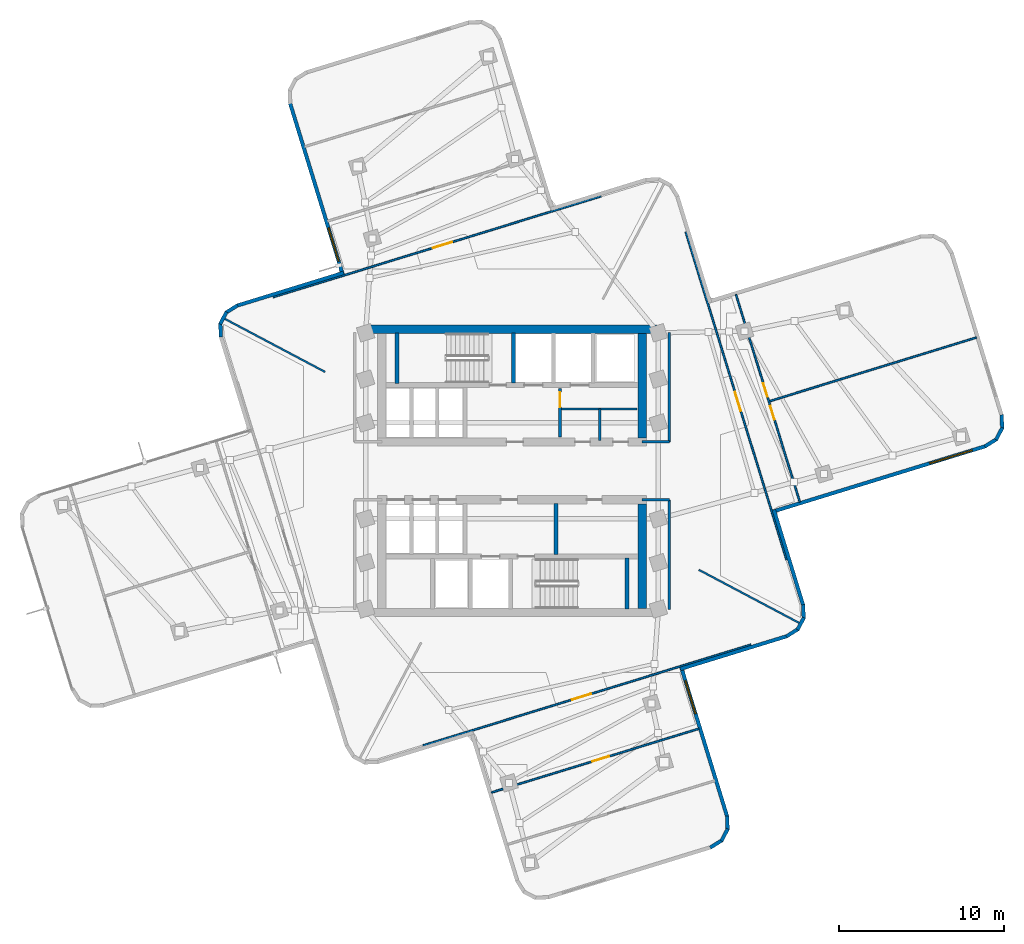
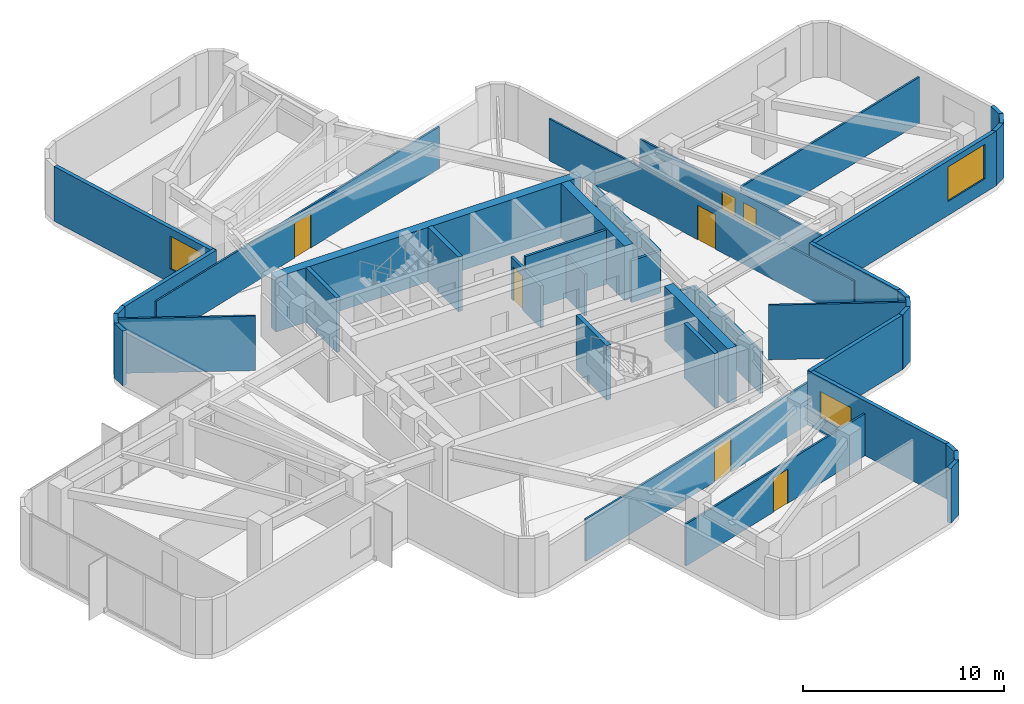
# One storey, part 7 of 10: 40 walls, 7 doors, 3 windows, 10 openings.
"""IFC4 building model written with IfcOpenShell, lengths in metres."""

from ifc_helpers import new_model, si_unit, direction, frame, frame_2d, origin, place, context, subcontext, project, spatial, rectangle, extrude, material, layer, layer_set, type_object, element, fill, save


model = new_model("IFC4")

# Units and contexts
model_context = context("Model", 3, precision=1e-05, world=origin(), true_north=direction((0.0, 1.0)))
body_context = subcontext(model_context, "Body", "Model", "MODEL_VIEW")
ifc_project = project(units=[si_unit("LENGTHUNIT", "METRE"), si_unit("AREAUNIT", "SQUARE_METRE"), si_unit("VOLUMEUNIT", "CUBIC_METRE"), si_unit("PLANEANGLEUNIT", "RADIAN"), si_unit("MASSUNIT", "GRAM", prefix="KILO")], contexts=[model_context])

# Site, building, storey
site_placement = place(None, origin())
site = spatial("IfcSite", under=ifc_project, at=site_placement, CompositionType="ELEMENT")
building_placement = place(site_placement, origin())
building = spatial("IfcBuilding", under=site, at=building_placement, Name="Solmarez Civic Tower", CompositionType="ELEMENT")
storey_placement = place(building_placement, frame((0.0, 0.0, 148.679931640625)))
storey = spatial("IfcBuildingStorey", under=building, at=storey_placement, Name="L39", CompositionType="ELEMENT", Elevation=148.679931640625)

# Walls
ifc_material_1 = material(Name="Concrete C60/75", Category="concrete")
ifc_layer_1 = layer(ifc_material_1, 0.5)
ifc_layer_set_1 = layer_set([ifc_layer_1], Name="Concrete C60/75")
wall_type_1 = type_object("IfcWallType", Name="WALL-CORE-500", PredefinedType="SHEAR", material=ifc_layer_set_1)
wall_1_placement = place(storey_placement, frame((-8.780029296875, 8.56005859375, 0.0), z_axis=(0.0, 0.0, 1.0), x_axis=(1.0, 0.0, 0.0)))
element("IfcWall", 1, at=wall_1_placement, inside=storey, type_object=wall_type_1, Name="L39 Split-Core Structural Wall NCW-N-L39", PredefinedType="SHEAR", context=body_context, shape_type="SweptSolid", body=[
    extrude(rectangle(XDim=17.56005859375, YDim=0.5, at=frame_2d((8.780029296875, 0.0))), origin(), (0.0, 0.0, 1.0), 3.320068359375),
])
for number, where, z_axis, x_axis, name in (
    (2, (7.8701171875, 8.31005859375, 0.0), (0.0, 0.0, 1.0), (0.0, -1.0, 0.0), "L39 Split-Core Structural Wall NCW-E-L39"),
    (3, (7.8701171875, -2.0, 0.0), (0.0, 0.0, 1.0), (0.0, -1.0, 0.0), "L39 Split-Core Structural Wall SCW-E-L39"),
):
    element("IfcWall", number, at=place(storey_placement, frame(where, z_axis=z_axis, x_axis=x_axis)), inside=storey, type_object=wall_type_1, Name=name, PredefinedType="SHEAR", context=body_context, shape_type="SweptSolid", body=[
        extrude(rectangle(XDim=6.31005859375, YDim=0.5, at=frame_2d((3.155029296875, 0.0))), origin(), (0.0, 0.0, 1.0), 3.320068359375),
    ])
ifc_material_2 = material(Name="Precast concrete C40/50", Category="concrete")
ifc_layer_2 = layer(ifc_material_2, 0.219970703125)
ifc_layer_set_2 = layer_set([ifc_layer_2], Name="Precast concrete C40/50")
wall_type_2 = type_object("IfcWallType", Name="WALL-EXT-220", PredefinedType="SOLIDWALL", material=ifc_layer_set_2)
wall_2_placement = place(storey_placement, frame((-17.60400390625, 8.093017578125, 0.0), z_axis=(0.0, 0.0, 1.0), x_axis=(-0.037195813461, 0.999307996296, 0.0)))
element("IfcWall", 4, at=wall_2_placement, inside=storey, type_object=wall_type_2, Name="L39 Exterior Precast Wall 14", PredefinedType="SOLIDWALL", context=body_context, shape_type="SweptSolid", body=[
    extrude(rectangle(XDim=0.83349609375, YDim=0.219970703125, at=frame_2d((0.416748046875, 0.0))), origin(), (0.0, 0.0, 1.0), 3.320068359375),
])
wall_3_placement = place(storey_placement, frame((-17.64599609375, 8.87890625, 0.0), z_axis=(0.0, 0.0, 1.0), x_axis=(0.46853080902, 0.883447158012, 0.0)))
element("IfcWall", 5, at=wall_3_placement, inside=storey, type_object=wall_type_2, Name="L39 Exterior Precast Wall 15", PredefinedType="SOLIDWALL", context=body_context, shape_type="SweptSolid", body=[
    extrude(rectangle(XDim=0.819580078125, YDim=0.219970703125, at=frame_2d((0.40966796875, 0.0))), origin(), (0.0, 0.0, 1.0), 3.320068359375),
])
wall_4_placement = place(storey_placement, frame((-17.294921875, 9.568115234375, 0.0), z_axis=(0.0, 0.0, 1.0), x_axis=(0.847058721529, 0.531499315411, 0.0)))
element("IfcWall", 6, at=wall_4_placement, inside=storey, type_object=wall_type_2, Name="L39 Exterior Precast Wall 16", PredefinedType="SOLIDWALL", context=body_context, shape_type="SweptSolid", body=[
    extrude(rectangle(XDim=0.833251953125, YDim=0.219970703125, at=frame_2d((0.41650390625, 0.0))), origin(), (0.0, 0.0, 1.0), 3.320068359375),
])
wall_5_placement = place(storey_placement, frame((-16.634033203125, 9.990966796875, 0.0), z_axis=(0.0, 0.0, 1.0), x_axis=(0.955804779036, 0.294002082259, 0.0)))
element("IfcWall", 7, at=wall_5_placement, inside=storey, type_object=wall_type_2, Name="L39 Exterior Precast Wall 17", PredefinedType="SOLIDWALL", context=body_context, shape_type="SweptSolid", body=[
    extrude(rectangle(XDim=6.758544921875, YDim=0.219970703125, at=frame_2d((3.37939453125, 0.0))), origin(), (0.0, 0.0, 1.0), 3.320068359375),
])

# Wall, opening, window
wall_6_placement = place(storey_placement, frame((-10.23193359375, 11.867919921875, 0.0), z_axis=(0.0, 0.0, 1.0), x_axis=(-0.293964195622, 0.955816432006, 0.0)))
wall_6 = element("IfcWall", 8, at=wall_6_placement, inside=storey, type_object=wall_type_2, Name="L39 Exterior Precast Wall 20", PredefinedType="SOLIDWALL", context=body_context, shape_type="SweptSolid", body=[
    extrude(rectangle(XDim=10.85888671875, YDim=0.219970703125, at=frame_2d((5.429443359375, 0.0))), origin(), (0.0, 0.0, 1.0), 3.320068359375),
])
opening_1_placement = place(wall_6_placement, frame((0.85009765625, 0.0, 0.85009765625)))
opening_1 = element("IfcOpeningElement", 9, at=opening_1_placement, cuts=wall_6, Name="Opening W-03", PredefinedType="OPENING", context=body_context, shape_type="SweptSolid", body=[
    extrude(rectangle(XDim=2.10009765625, YDim=2.0, at=frame_2d((1.050048828125, 1.0))), frame((0.0, 0.119873046875, 0.0), z_axis=(0.0, -1.0, 0.0), x_axis=(1.0, 0.0, 0.0)), (0.0, 0.0, 1.0), 0.239990234375),
])
ifc_material_3 = material(Name="Solar Control Bronze-Tinted Insulating Glass", Category="glass")
window_type_1 = type_object("IfcWindowType", Name="WIN-2100X2000", PartitioningType="SINGLE_PANEL", PredefinedType="WINDOW", material=ifc_material_3)
window_1_placement = place(opening_1_placement, origin())
window_1 = element("IfcWindow", 10, at=window_1_placement, inside=storey, type_object=window_type_1, Name="L39 Exterior Facade Window 20", OverallHeight=2.0, OverallWidth=2.10009765625, PartitioningType="SINGLE_PANEL", PredefinedType="WINDOW", context=body_context, shape_type="SweptSolid", body=[
    extrude(rectangle(XDim=2.10009765625, YDim=2.0, at=frame_2d((1.050048828125, 1.0))), frame((0.0, 0.030029296875, 0.0), z_axis=(0.0, -1.0, 0.0), x_axis=(1.0, 0.0, 0.0)), (0.0, 0.0, 1.0), 0.06005859375),
])
fill(opening_1, window_1)

# Walls
wall_7_placement = place(storey_placement, frame((29.60693359375, 3.39404296875, 0.0), z_axis=(0.0, 0.0, 1.0), x_axis=(0.037195813461, -0.999307996296, 0.0)))
element("IfcWall", 11, at=wall_7_placement, inside=storey, type_object=wall_type_2, Name="L39 Exterior Precast Wall 43", PredefinedType="SOLIDWALL", context=body_context, shape_type="SweptSolid", body=[
    extrude(rectangle(XDim=0.83349609375, YDim=0.219970703125, at=frame_2d((0.416748046875, 0.0))), origin(), (0.0, 0.0, 1.0), 3.320068359375),
])
wall_8_placement = place(storey_placement, frame((29.64892578125, 2.60791015625, 0.0), z_axis=(0.0, 0.0, 1.0), x_axis=(-0.468654126993, -0.883381746049, 0.0)))
element("IfcWall", 12, at=wall_8_placement, inside=storey, type_object=wall_type_2, Name="L39 Exterior Precast Wall 44", PredefinedType="SOLIDWALL", context=body_context, shape_type="SweptSolid", body=[
    extrude(rectangle(XDim=0.8193359375, YDim=0.219970703125, at=frame_2d((0.40966796875, 0.0))), origin(), (0.0, 0.0, 1.0), 3.320068359375),
])
wall_9_placement = place(storey_placement, frame((29.298095703125, 1.9189453125, 0.0), z_axis=(0.0, 0.0, 1.0), x_axis=(-0.847141460322, -0.531367430506, 0.0)))
element("IfcWall", 13, at=wall_9_placement, inside=storey, type_object=wall_type_2, Name="L39 Exterior Precast Wall 45", PredefinedType="SOLIDWALL", context=body_context, shape_type="SweptSolid", body=[
    extrude(rectangle(XDim=0.83349609375, YDim=0.219970703125, at=frame_2d((0.416748046875, 0.0))), origin(), (0.0, 0.0, 1.0), 3.320068359375),
])

# Wall, opening, window
wall_10_placement = place(storey_placement, frame((28.636962890625, 1.49609375, 0.0), z_axis=(0.0, 0.0, 1.0), x_axis=(-0.955802538335, -0.29400936671, 0.0)))
wall_10 = element("IfcWall", 14, at=wall_10_placement, inside=storey, type_object=wall_type_2, Name="L39 Exterior Precast Wall 46", PredefinedType="SOLIDWALL", context=body_context, shape_type="SweptSolid", body=[
    extrude(rectangle(XDim=13.458740234375, YDim=0.219970703125, at=frame_2d((6.7294921875, 0.0))), origin(), (0.0, 0.0, 1.0), 3.320068359375),
])
opening_2_placement = place(wall_10_placement, frame((0.85009765625, 0.0, 0.85009765625)))
opening_2 = element("IfcOpeningElement", 15, at=opening_2_placement, cuts=wall_10, Name="Opening W-01", PredefinedType="OPENING", context=body_context, shape_type="SweptSolid", body=[
    extrude(rectangle(XDim=2.699951171875, YDim=2.10009765625, at=frame_2d((1.35009765625, 1.050048828125))), frame((0.0, 0.119873046875, 0.0), z_axis=(0.0, -1.0, 0.0), x_axis=(1.0, 0.0, 0.0)), (0.0, 0.0, 1.0), 0.239990234375),
])
window_type_2 = type_object("IfcWindowType", Name="WIN-2700X2100", PartitioningType="SINGLE_PANEL", PredefinedType="WINDOW", material=ifc_material_3)
window_2_placement = place(opening_2_placement, origin())
window_2 = element("IfcWindow", 16, at=window_2_placement, inside=storey, type_object=window_type_2, Name="L39 Exterior Facade Window 46", OverallHeight=2.10009765625, OverallWidth=2.699951171875, PartitioningType="SINGLE_PANEL", PredefinedType="WINDOW", context=body_context, shape_type="SweptSolid", body=[
    extrude(rectangle(XDim=2.699951171875, YDim=2.10009765625, at=frame_2d((1.35009765625, 1.050048828125))), frame((0.0, 0.030029296875, 0.0), z_axis=(0.0, -1.0, 0.0), x_axis=(1.0, 0.0, 0.0)), (0.0, 0.0, 1.0), 0.06005859375),
])
fill(opening_2, window_2)

# Walls
wall_11_placement = place(storey_placement, frame((15.8310546875, -2.35107421875, 0.0), z_axis=(0.0, 0.0, 1.0), x_axis=(0.293958424126, -0.955818207028, 0.0)))
element("IfcWall", 17, at=wall_11_placement, inside=storey, type_object=wall_type_2, Name="L39 Exterior Precast Wall 49", PredefinedType="SOLIDWALL", context=body_context, shape_type="SweptSolid", body=[
    extrude(rectangle(XDim=6.05859375, YDim=0.219970703125, at=frame_2d((3.029296875, 0.0))), origin(), (0.0, 0.0, 1.0), 3.320068359375),
])
wall_12_placement = place(storey_placement, frame((17.60400390625, -8.093017578125, 0.0), z_axis=(0.0, 0.0, 1.0), x_axis=(0.037195813461, -0.999307996296, 0.0)))
element("IfcWall", 18, at=wall_12_placement, inside=storey, type_object=wall_type_2, Name="L39 Exterior Precast Wall 50", PredefinedType="SOLIDWALL", context=body_context, shape_type="SweptSolid", body=[
    extrude(rectangle(XDim=0.83349609375, YDim=0.219970703125, at=frame_2d((0.416748046875, 0.0))), origin(), (0.0, 0.0, 1.0), 3.320068359375),
])
wall_13_placement = place(storey_placement, frame((17.64599609375, -8.87890625, 0.0), z_axis=(0.0, 0.0, 1.0), x_axis=(-0.46853080902, -0.883447158012, 0.0)))
element("IfcWall", 19, at=wall_13_placement, inside=storey, type_object=wall_type_2, Name="L39 Exterior Precast Wall 51", PredefinedType="SOLIDWALL", context=body_context, shape_type="SweptSolid", body=[
    extrude(rectangle(XDim=0.819580078125, YDim=0.219970703125, at=frame_2d((0.40966796875, 0.0))), origin(), (0.0, 0.0, 1.0), 3.320068359375),
])
wall_14_placement = place(storey_placement, frame((17.294921875, -9.568115234375, 0.0), z_axis=(0.0, 0.0, 1.0), x_axis=(-0.847058721529, -0.531499315411, 0.0)))
element("IfcWall", 20, at=wall_14_placement, inside=storey, type_object=wall_type_2, Name="L39 Exterior Precast Wall 52", PredefinedType="SOLIDWALL", context=body_context, shape_type="SweptSolid", body=[
    extrude(rectangle(XDim=0.833251953125, YDim=0.219970703125, at=frame_2d((0.41650390625, 0.0))), origin(), (0.0, 0.0, 1.0), 3.320068359375),
])
wall_15_placement = place(storey_placement, frame((16.634033203125, -9.990966796875, 0.0), z_axis=(0.0, 0.0, 1.0), x_axis=(-0.955804779036, -0.294002082259, 0.0)))
element("IfcWall", 21, at=wall_15_placement, inside=storey, type_object=wall_type_2, Name="L39 Exterior Precast Wall 53", PredefinedType="SOLIDWALL", context=body_context, shape_type="SweptSolid", body=[
    extrude(rectangle(XDim=6.758544921875, YDim=0.219970703125, at=frame_2d((3.37939453125, 0.0))), origin(), (0.0, 0.0, 1.0), 3.320068359375),
])

# Wall, opening, window
wall_16_placement = place(storey_placement, frame((10.23193359375, -11.867919921875, 0.0), z_axis=(0.0, 0.0, 1.0), x_axis=(0.29400423166, -0.955804117885, 0.0)))
wall_16 = element("IfcWall", 22, at=wall_16_placement, inside=storey, type_object=wall_type_2, Name="L39 Exterior Precast Wall 56", PredefinedType="SOLIDWALL", context=body_context, shape_type="SweptSolid", body=[
    extrude(rectangle(XDim=9.458984375, YDim=0.219970703125, at=frame_2d((4.7294921875, 0.0))), origin(), (0.0, 0.0, 1.0), 3.320068359375),
])
opening_3_placement = place(wall_16_placement, frame((0.85009765625, 0.0, 0.85009765625)))
opening_3 = element("IfcOpeningElement", 23, at=opening_3_placement, cuts=wall_16, Name="Opening W-11", PredefinedType="OPENING", context=body_context, shape_type="SweptSolid", body=[
    extrude(rectangle(XDim=2.10009765625, YDim=1.60009765625, at=frame_2d((1.050048828125, 0.800048828125))), frame((0.0, 0.119873046875, 0.0), z_axis=(0.0, -1.0, 0.0), x_axis=(1.0, 0.0, 0.0)), (0.0, 0.0, 1.0), 0.239990234375),
])
window_type_3 = type_object("IfcWindowType", Name="WIN-2100X1600", PartitioningType="SINGLE_PANEL", PredefinedType="WINDOW", material=ifc_material_3)
window_3_placement = place(opening_3_placement, origin())
window_3 = element("IfcWindow", 24, at=window_3_placement, inside=storey, type_object=window_type_3, Name="L39 Exterior Facade Window 56", OverallHeight=1.60009765625, OverallWidth=2.10009765625, PartitioningType="SINGLE_PANEL", PredefinedType="WINDOW", context=body_context, shape_type="SweptSolid", body=[
    extrude(rectangle(XDim=2.10009765625, YDim=1.60009765625, at=frame_2d((1.050048828125, 0.800048828125))), frame((0.0, 0.030029296875, 0.0), z_axis=(0.0, -1.0, 0.0), x_axis=(1.0, 0.0, 0.0)), (0.0, 0.0, 1.0), 0.06005859375),
])
fill(opening_3, window_3)

# Walls
wall_17_placement = place(storey_placement, frame((13.0048828125, -20.860107421875, 0.0), z_axis=(0.0, 0.0, 1.0), x_axis=(0.037195813461, -0.999307996296, 0.0)))
element("IfcWall", 25, at=wall_17_placement, inside=storey, type_object=wall_type_2, Name="L39 Exterior Precast Wall 57", PredefinedType="SOLIDWALL", context=body_context, shape_type="SweptSolid", body=[
    extrude(rectangle(XDim=0.83349609375, YDim=0.219970703125, at=frame_2d((0.416748046875, 0.0))), origin(), (0.0, 0.0, 1.0), 3.320068359375),
])
wall_18_placement = place(storey_placement, frame((13.047119140625, -21.64599609375, 0.0), z_axis=(0.0, 0.0, 1.0), x_axis=(-0.46853080902, -0.883447158012, 0.0)))
element("IfcWall", 26, at=wall_18_placement, inside=storey, type_object=wall_type_2, Name="L39 Exterior Precast Wall 58", PredefinedType="SOLIDWALL", context=body_context, shape_type="SweptSolid", body=[
    extrude(rectangle(XDim=0.819580078125, YDim=0.219970703125, at=frame_2d((0.40966796875, 0.0))), origin(), (0.0, 0.0, 1.0), 3.320068359375),
])
wall_19_placement = place(storey_placement, frame((12.696044921875, -22.3349609375, 0.0), z_axis=(0.0, 0.0, 1.0), x_axis=(-0.847340146221, -0.531050540535, 0.0)))
element("IfcWall", 27, at=wall_19_placement, inside=storey, type_object=wall_type_2, Name="L39 Exterior Precast Wall 59", PredefinedType="SOLIDWALL", context=body_context, shape_type="SweptSolid", body=[
    extrude(rectangle(XDim=0.83447265625, YDim=0.219970703125, at=frame_2d((0.417236328125, 0.0))), origin(), (0.0, 0.0, 1.0), 3.320068359375),
])
ifc_material_4 = material(Name="Gypsum Board Acoustic Steel-Stud Partition", Category="steel")
ifc_layer_3 = layer(ifc_material_4, 0.14990234375)
ifc_layer_set_3 = layer_set([ifc_layer_3], Name="Gypsum Board Acoustic Steel-Stud Partition")
wall_type_3 = type_object("IfcWallType", Name="WALL-INT-FIRE-150", PredefinedType="PARTITIONING", material=ifc_layer_set_3)
wall_20_placement = place(storey_placement, frame((9.52001953125, 1.75, 0.0), z_axis=(0.0, 0.0, 1.0), x_axis=(0.0, 1.0, 0.0)))
element("IfcWall", 28, at=wall_20_placement, inside=storey, type_object=wall_type_3, Name="L39 Interior Partition CHW-L39-EN1", PredefinedType="PARTITIONING", context=body_context, shape_type="SweptSolid", body=[
    extrude(rectangle(XDim=6.6298828125, YDim=0.14990234375, at=frame_2d((3.31494140625, 0.0))), origin(), (0.0, 0.0, 1.0), 2.550048828125),
])
wall_21_placement = place(storey_placement, frame((7.85009765625, 1.75, 0.0), z_axis=(0.0, 0.0, 1.0), x_axis=(1.0, 0.0, 0.0)))
element("IfcWall", 29, at=wall_21_placement, inside=storey, type_object=wall_type_3, Name="L39 Interior Partition CHW-L39-EN3", PredefinedType="PARTITIONING", context=body_context, shape_type="SweptSolid", body=[
    extrude(rectangle(XDim=1.669921875, YDim=0.14990234375, at=frame_2d((0.8349609375, 0.0))), origin(), (0.0, 0.0, 1.0), 2.550048828125),
])
wall_22_placement = place(storey_placement, frame((9.52001953125, -8.3798828125, 0.0), z_axis=(0.0, 0.0, 1.0), x_axis=(0.0, 1.0, 0.0)))
element("IfcWall", 30, at=wall_22_placement, inside=storey, type_object=wall_type_3, Name="L39 Interior Partition CHW-L39-ES1", PredefinedType="PARTITIONING", context=body_context, shape_type="SweptSolid", body=[
    extrude(rectangle(XDim=6.6298828125, YDim=0.14990234375, at=frame_2d((3.31494140625, 0.0))), origin(), (0.0, 0.0, 1.0), 2.550048828125),
])
wall_23_placement = place(storey_placement, frame((7.85009765625, -1.75, 0.0), z_axis=(0.0, 0.0, 1.0), x_axis=(1.0, 0.0, 0.0)))
element("IfcWall", 31, at=wall_23_placement, inside=storey, type_object=wall_type_3, Name="L39 Interior Partition CHW-L39-ES3", PredefinedType="PARTITIONING", context=body_context, shape_type="SweptSolid", body=[
    extrude(rectangle(XDim=1.669921875, YDim=0.14990234375, at=frame_2d((0.8349609375, 0.0))), origin(), (0.0, 0.0, 1.0), 2.550048828125),
])
ifc_layer_4 = layer(ifc_material_4, 0.110107421875)
ifc_layer_set_4 = layer_set([ifc_layer_4], Name="Gypsum Board Acoustic Steel-Stud Partition")
wall_type_4 = type_object("IfcWallType", Name="WALL-INT-PART-110", PredefinedType="PARTITIONING", material=ifc_layer_set_4)
for number, where, z_axis, x_axis, name in (
    (32, (-11.300048828125, 5.98291015625, 0.0), (0.0, 0.0, 1.0), (-0.883779295194, 0.467904004457, 0.0), "L39 Interior Partition PT-L39-QDIV-2"),
    (33, (11.300048828125, -5.98291015625, 0.0), (0.0, 0.0, 1.0), (0.883779295194, -0.467904004457, 0.0), "L39 Interior Partition PT-L39-QDIV-4"),
):
    element("IfcWall", number, at=place(storey_placement, frame(where, z_axis=z_axis, x_axis=x_axis)), inside=storey, type_object=wall_type_4, Name=name, PredefinedType="PARTITIONING", context=body_context, shape_type="SweptSolid", body=[
        extrude(rectangle(XDim=6.888427734375, YDim=0.110107421875, at=frame_2d((3.4443359375, 0.0))), origin(), (0.0, 0.0, 1.0), 3.320068359375),
    ])

# Wall, opening, door
wall_24_placement = place(storey_placement, frame((10.506103515625, 14.447021484375, 0.0), z_axis=(0.0, 0.0, 1.0), x_axis=(0.294033732643, -0.955795042919, 0.0)))
wall_24 = element("IfcWall", 34, at=wall_24_placement, inside=storey, type_object=wall_type_4, Name="L39 Interior Partition PT-L39-E-ENT", PredefinedType="PARTITIONING", context=body_context, shape_type="SweptSolid", body=[
    extrude(rectangle(XDim=20.73876953125, YDim=0.110107421875, at=frame_2d((10.369384765625, 0.0))), origin(), (0.0, 0.0, 1.0), 2.550048828125),
])
opening_4_placement = place(wall_24_placement, frame((10.1201171875, 0.0, 0.0)))
opening_4 = element("IfcOpeningElement", 35, at=opening_4_placement, cuts=wall_24, Name="Opening D-11", PredefinedType="OPENING", context=body_context, shape_type="SweptSolid", body=[
    extrude(rectangle(XDim=1.199951171875, YDim=2.10009765625, at=frame_2d((0.60009765625, 1.050048828125))), frame((0.0, 0.06494140625, 0.0), z_axis=(0.0, -1.0, 0.0), x_axis=(1.0, 0.0, 0.0)), (0.0, 0.0, 1.0), 0.130126953125),
])
ifc_material_5 = material(Name="Glazed-Vision Acoustic Chamber Door", Category="wood")
door_type_1 = type_object("IfcDoorType", Name="DOOR-INT-1200", OperationType="NOTDEFINED", PredefinedType="DOOR", material=ifc_material_5)
door_1_placement = place(opening_4_placement, origin())
door_1 = element("IfcDoor", 36, at=door_1_placement, inside=storey, type_object=door_type_1, Name="L39 Maritime Registry Municipal Law Library First East Door", OperationType="SINGLE_SWING_LEFT", OverallHeight=2.10009765625, OverallWidth=1.199951171875, PredefinedType="DOOR", context=body_context, shape_type="SweptSolid", body=[
    extrude(rectangle(XDim=1.199951171875, YDim=2.10009765625, at=frame_2d((0.60009765625, 1.050048828125))), frame((0.0, 0.02490234375, 0.0), z_axis=(0.0, -1.0, 0.0), x_axis=(1.0, 0.0, 0.0)), (0.0, 0.0, 1.0), 0.050048828125),
])
fill(opening_4, door_1)

# Wall
wall_25_placement = place(storey_placement, frame((15.587890625, 4.219970703125, 0.0), z_axis=(0.0, 0.0, 1.0), x_axis=(0.95578506432, 0.294066167422, 0.0)))
element("IfcWall", 37, at=wall_25_placement, inside=storey, type_object=wall_type_4, Name="L39 Interior Partition PT-L39-E-TSP", PredefinedType="PARTITIONING", context=body_context, shape_type="SweptSolid", body=[
    extrude(rectangle(XDim=13.0751953125, YDim=0.110107421875, at=frame_2d((6.53759765625, 0.0))), origin(), (0.0, 0.0, 1.0), 2.81201171875),
])

# Wall, openings, doors
wall_26_placement = place(storey_placement, frame((17.402099609375, -1.881103515625, 0.0), z_axis=(0.0, 0.0, 1.0), x_axis=(-0.294006140437, 0.955803530745, 0.0)))
wall_26 = element("IfcWall", 38, at=wall_26_placement, inside=storey, type_object=wall_type_4, Name="L39 Interior Partition PT-L39-E-SCUT", PredefinedType="PARTITIONING", context=body_context, shape_type="SweptSolid", body=[
    extrude(rectangle(XDim=13.12939453125, YDim=0.110107421875, at=frame_2d((6.564697265625, 0.0))), origin(), (0.0, 0.0, 1.0), 2.550048828125),
])
opening_5_placement = place(wall_26_placement, frame((5.215087890625, 0.0, 0.0)))
opening_5 = element("IfcOpeningElement", 39, at=opening_5_placement, cuts=wall_26, Name="Opening D-14", PredefinedType="OPENING", context=body_context, shape_type="SweptSolid", body=[
    extrude(rectangle(XDim=0.860107421875, YDim=2.0400390625, at=frame_2d((0.43017578125, 1.02001953125))), frame((0.0, 0.06494140625, 0.0), z_axis=(0.0, -1.0, 0.0), x_axis=(1.0, 0.0, 0.0)), (0.0, 0.0, 1.0), 0.130126953125),
])
opening_6_placement = place(wall_26_placement, frame((6.655029296875, 0.0, 0.0)))
opening_6 = element("IfcOpeningElement", 40, at=opening_6_placement, cuts=wall_26, Name="Opening D-14", PredefinedType="OPENING", context=body_context, shape_type="SweptSolid", body=[
    extrude(rectangle(XDim=0.860107421875, YDim=2.0400390625, at=frame_2d((0.43017578125, 1.02001953125))), frame((0.0, 0.06494140625, 0.0), z_axis=(0.0, -1.0, 0.0), x_axis=(1.0, 0.0, 0.0)), (0.0, 0.0, 1.0), 0.130126953125),
])
ifc_material_6 = material(Name="Timber Storage and Pantry Door", Category="wood")
door_type_2 = type_object("IfcDoorType", Name="DOOR-INT-850", OperationType="NOTDEFINED", PredefinedType="DOOR", material=ifc_material_6)
door_2_placement = place(opening_5_placement, origin())
door_2 = element("IfcDoor", 41, at=door_2_placement, inside=storey, type_object=door_type_2, Name="L39 Legal Study Room Third East Door", OperationType="SINGLE_SWING_RIGHT", OverallHeight=2.0400390625, OverallWidth=0.860107421875, PredefinedType="DOOR", context=body_context, shape_type="SweptSolid", body=[
    extrude(rectangle(XDim=0.860107421875, YDim=2.0400390625, at=frame_2d((0.43017578125, 1.02001953125))), frame((0.0, 0.02490234375, 0.0), z_axis=(0.0, -1.0, 0.0), x_axis=(1.0, 0.0, 0.0)), (0.0, 0.0, 1.0), 0.050048828125),
])
fill(opening_5, door_2)
door_3_placement = place(opening_6_placement, origin())
door_3 = element("IfcDoor", 42, at=door_3_placement, inside=storey, type_object=door_type_2, Name="L39 Public Reading Room Second East Door", OperationType="SINGLE_SWING_LEFT", OverallHeight=2.0400390625, OverallWidth=0.860107421875, PredefinedType="DOOR", context=body_context, shape_type="SweptSolid", body=[
    extrude(rectangle(XDim=0.860107421875, YDim=2.0400390625, at=frame_2d((0.43017578125, 1.02001953125))), frame((0.0, 0.02490234375, 0.0), z_axis=(0.0, -1.0, 0.0), x_axis=(1.0, 0.0, 0.0)), (0.0, 0.0, 1.0), 0.050048828125),
])
fill(opening_6, door_3)

# Wall, opening, door
wall_27_placement = place(storey_placement, frame((-14.447021484375, 10.506103515625, 0.0), z_axis=(0.0, 0.0, 1.0), x_axis=(0.955795042919, 0.294033732643, 0.0)))
wall_27 = element("IfcWall", 43, at=wall_27_placement, inside=storey, type_object=wall_type_4, Name="L39 Interior Partition PT-L39-N-ENT", PredefinedType="PARTITIONING", context=body_context, shape_type="SweptSolid", body=[
    extrude(rectangle(XDim=20.73876953125, YDim=0.110107421875, at=frame_2d((10.369384765625, 0.0))), origin(), (0.0, 0.0, 1.0), 2.550048828125),
])
opening_7_placement = place(wall_27_placement, frame((10.1201171875, 0.0, 0.0)))
opening_7 = element("IfcOpeningElement", 44, at=opening_7_placement, cuts=wall_27, Name="Opening D-11", PredefinedType="OPENING", context=body_context, shape_type="SweptSolid", body=[
    extrude(rectangle(XDim=1.199951171875, YDim=2.10009765625, at=frame_2d((0.60009765625, 1.050048828125))), frame((0.0, 0.06494140625, 0.0), z_axis=(0.0, -1.0, 0.0), x_axis=(1.0, 0.0, 0.0)), (0.0, 0.0, 1.0), 0.130126953125),
])
door_4_placement = place(opening_7_placement, origin())
door_4 = element("IfcDoor", 45, at=door_4_placement, inside=storey, type_object=door_type_1, Name="L39 Public Reading Room First North Door", OperationType="SINGLE_SWING_LEFT", OverallHeight=2.10009765625, OverallWidth=1.199951171875, PredefinedType="DOOR", context=body_context, shape_type="SweptSolid", body=[
    extrude(rectangle(XDim=1.199951171875, YDim=2.10009765625, at=frame_2d((0.60009765625, 1.050048828125))), frame((0.0, 0.02490234375, 0.0), z_axis=(0.0, -1.0, 0.0), x_axis=(1.0, 0.0, 0.0)), (0.0, 0.0, 1.0), 0.050048828125),
])
fill(opening_7, door_4)

wall_28_placement = place(storey_placement, frame((14.447021484375, -10.506103515625, 0.0), z_axis=(0.0, 0.0, 1.0), x_axis=(-0.955795042919, -0.294033732643, 0.0)))
wall_28 = element("IfcWall", 46, at=wall_28_placement, inside=storey, type_object=wall_type_4, Name="L39 Interior Partition PT-L39-S-ENT", PredefinedType="PARTITIONING", context=body_context, shape_type="SweptSolid", body=[
    extrude(rectangle(XDim=20.73876953125, YDim=0.110107421875, at=frame_2d((10.369384765625, 0.0))), origin(), (0.0, 0.0, 1.0), 2.550048828125),
])
opening_8_placement = place(wall_28_placement, frame((10.1201171875, 0.0, 0.0)))
opening_8 = element("IfcOpeningElement", 47, at=opening_8_placement, cuts=wall_28, Name="Opening D-11", PredefinedType="OPENING", context=body_context, shape_type="SweptSolid", body=[
    extrude(rectangle(XDim=1.199951171875, YDim=2.10009765625, at=frame_2d((0.60009765625, 1.050048828125))), frame((0.0, 0.06494140625, 0.0), z_axis=(0.0, -1.0, 0.0), x_axis=(1.0, 0.0, 0.0)), (0.0, 0.0, 1.0), 0.130126953125),
])
door_5_placement = place(opening_8_placement, origin())
door_5 = element("IfcDoor", 48, at=door_5_placement, inside=storey, type_object=door_type_1, Name="L39 Policy Administration Office First South Door", OperationType="SINGLE_SWING_LEFT", OverallHeight=2.10009765625, OverallWidth=1.199951171875, PredefinedType="DOOR", context=body_context, shape_type="SweptSolid", body=[
    extrude(rectangle(XDim=1.199951171875, YDim=2.10009765625, at=frame_2d((0.60009765625, 1.050048828125))), frame((0.0, 0.02490234375, 0.0), z_axis=(0.0, -1.0, 0.0), x_axis=(1.0, 0.0, 0.0)), (0.0, 0.0, 1.0), 0.050048828125),
])
fill(opening_8, door_5)

wall_29_placement = place(storey_placement, frame((11.298095703125, -15.5869140625, 0.0), z_axis=(0.0, 0.0, 1.0), x_axis=(-0.955789058601, -0.294053184744, 0.0)))
wall_29 = element("IfcWall", 49, at=wall_29_placement, inside=storey, type_object=wall_type_4, Name="L39 Interior Partition PT-L39-S-SC1", PredefinedType="PARTITIONING", context=body_context, shape_type="SweptSolid", body=[
    extrude(rectangle(XDim=13.130615234375, YDim=0.110107421875, at=frame_2d((6.5654296875, 0.0))), origin(), (0.0, 0.0, 1.0), 2.550048828125),
])
opening_9_placement = place(wall_29_placement, frame((5.69091796875, 0.0, 0.0)))
opening_9 = element("IfcOpeningElement", 50, at=opening_9_placement, cuts=wall_29, Name="Opening D-13", PredefinedType="OPENING", context=body_context, shape_type="SweptSolid", body=[
    extrude(rectangle(XDim=1.050048828125, YDim=2.080078125, at=frame_2d((0.52490234375, 1.0400390625))), frame((0.0, 0.06494140625, 0.0), z_axis=(0.0, -1.0, 0.0), x_axis=(1.0, 0.0, 0.0)), (0.0, 0.0, 1.0), 0.130126953125),
])
ifc_material_7 = material(Name="Timber Directorate Office Door", Category="wood")
door_type_3 = type_object("IfcDoorType", Name="DOOR-INT-1050", OperationType="NOTDEFINED", PredefinedType="DOOR", material=ifc_material_7)
door_6_placement = place(opening_9_placement, origin())
door_6 = element("IfcDoor", 51, at=door_6_placement, inside=storey, type_object=door_type_3, Name="L39 Municipal Law Library South Door", OperationType="SINGLE_SWING_LEFT", OverallHeight=2.080078125, OverallWidth=1.050048828125, PredefinedType="DOOR", context=body_context, shape_type="SweptSolid", body=[
    extrude(rectangle(XDim=1.050048828125, YDim=2.080078125, at=frame_2d((0.52490234375, 1.0400390625))), frame((0.0, 0.02490234375, 0.0), z_axis=(0.0, -1.0, 0.0), x_axis=(1.0, 0.0, 0.0)), (0.0, 0.0, 1.0), 0.050048828125),
])
fill(opening_9, door_6)

ifc_layer_5 = layer(ifc_material_4, 0.159912109375)
ifc_layer_set_5 = layer_set([ifc_layer_5], Name="Gypsum Board Acoustic Steel-Stud Partition")
wall_type_5 = type_object("IfcWallType", Name="WALL-INT-SHAFT-160", PredefinedType="PARTITIONING", material=ifc_layer_set_5)
wall_30_placement = place(storey_placement, frame((2.89990234375, 2.0400390625, 0.0), z_axis=(0.0, 0.0, 1.0), x_axis=(0.0, 1.0, 0.0)))
wall_30 = element("IfcWall", 52, at=wall_30_placement, inside=storey, type_object=wall_type_5, Name="L39 Interior Partition SHW-NL2-L39", PredefinedType="PARTITIONING", context=body_context, shape_type="SweptSolid", body=[
    extrude(rectangle(XDim=2.93994140625, YDim=0.159912109375, at=frame_2d((1.469970703125, 0.0))), origin(), (0.0, 0.0, 1.0), 2.550048828125),
])
opening_10_placement = place(wall_30_placement, frame((1.820068359375, 0.0, 0.0)))
opening_10 = element("IfcOpeningElement", 53, at=opening_10_placement, cuts=wall_30, Name="Opening D-09", PredefinedType="OPENING", context=body_context, shape_type="SweptSolid", body=[
    extrude(rectangle(XDim=0.89990234375, YDim=2.06005859375, at=frame_2d((0.449951171875, 1.030029296875))), frame((0.0, 0.08984375, 0.0), z_axis=(0.0, -1.0, 0.0), x_axis=(1.0, 0.0, 0.0)), (0.0, 0.0, 1.0), 0.179931640625),
])
ifc_material_8 = material(Name="Fire-Rated Service Core Door", Category="wood")
door_type_4 = type_object("IfcDoorType", Name="DOOR-FD60-900", OperationType="NOTDEFINED", PredefinedType="DOOR", material=ifc_material_8)
door_7_placement = place(opening_10_placement, origin())
door_7 = element("IfcDoor", 54, at=door_7_placement, inside=storey, type_object=door_type_4, Name="L39 Service Lift Lobby Door", OperationType="SINGLE_SWING_LEFT", OverallHeight=2.06005859375, OverallWidth=0.89990234375, PredefinedType="DOOR", context=body_context, shape_type="SweptSolid", body=[
    extrude(rectangle(XDim=0.89990234375, YDim=2.06005859375, at=frame_2d((0.449951171875, 1.030029296875))), frame((0.0, 0.02490234375, 0.0), z_axis=(0.0, -1.0, 0.0), x_axis=(1.0, 0.0, 0.0)), (0.0, 0.0, 1.0), 0.050048828125),
])
fill(opening_10, door_7)

# Walls
ifc_layer_6 = layer(ifc_material_4, 0.137939453125)
ifc_layer_set_6 = layer_set([ifc_layer_6], Name="Gypsum Board Acoustic Steel-Stud Partition")
wall_type_6 = type_object("IfcWallType", Name="WALL-INT-WET-140", PredefinedType="PARTITIONING", material=ifc_layer_set_6)
wall_31_placement = place(storey_placement, frame((2.89990234375, 3.739990234375, 0.0), z_axis=(0.0, 0.0, 1.0), x_axis=(1.0, 0.0, 0.0)))
element("IfcWall", 55, at=wall_31_placement, inside=storey, type_object=wall_type_6, Name="L39 Interior Partition SHW-SVH-L39", PredefinedType="PARTITIONING", context=body_context, shape_type="SweptSolid", body=[
    extrude(rectangle(XDim=4.650146484375, YDim=0.137939453125, at=frame_2d((2.3251953125, 0.0))), origin(), (0.0, 0.0, 1.0), 3.320068359375),
])
wall_32_placement = place(storey_placement, frame((5.300048828125, 1.85009765625, 0.0), z_axis=(0.0, 0.0, 1.0), x_axis=(0.0, 1.0, 0.0)))
element("IfcWall", 56, at=wall_32_placement, inside=storey, type_object=wall_type_6, Name="L39 Interior Partition PT-NCSV-L39", PredefinedType="PARTITIONING", context=body_context, shape_type="SweptSolid", body=[
    extrude(rectangle(XDim=1.889892578125, YDim=0.137939453125, at=frame_2d((0.94482421875, 0.0))), origin(), (0.0, 0.0, 1.0), 2.550048828125),
])
ifc_material_9 = material(Name="Concrete C50/60", Category="concrete")
ifc_layer_7 = layer(ifc_material_9, 0.300048828125)
ifc_layer_set_7 = layer_set([ifc_layer_7], Name="Concrete C50/60")
wall_type_7 = type_object("IfcWallType", Name="WALL-STR-300", PredefinedType="SOLIDWALL", material=ifc_layer_set_7)
for number, where, z_axis, x_axis, name in (
    (57, (-6.949951171875, 5.280029296875, 0.0), (0.0, 0.0, 1.0), (0.0, 1.0, 0.0), "L39 Split-Core Structural Wall SHW-NW-L39"),
    (58, (6.949951171875, -8.340087890625, 0.0), (0.0, 0.0, 1.0), (0.0, 1.0, 0.0), "L39 Split-Core Structural Wall SHW-SE-L39"),
):
    element("IfcWall", number, at=place(storey_placement, frame(where, z_axis=z_axis, x_axis=x_axis)), inside=storey, type_object=wall_type_7, Name=name, PredefinedType="SOLIDWALL", context=body_context, shape_type="SweptSolid", body=[
        extrude(rectangle(XDim=3.06005859375, YDim=0.219970703125, at=frame_2d((1.530029296875, 0.0))), origin(), (0.0, 0.0, 1.0), 3.320068359375),
    ])
wall_33_placement = place(storey_placement, frame((0.10009765625, 5.300048828125, 0.0), z_axis=(0.0, 0.0, 1.0), x_axis=(0.0, 1.0, 0.0)))
element("IfcWall", 59, at=wall_33_placement, inside=storey, type_object=wall_type_7, Name="L39 Split-Core Structural Wall SHW-N1-L39", PredefinedType="SOLIDWALL", context=body_context, shape_type="SweptSolid", body=[
    extrude(rectangle(XDim=3.0400390625, YDim=0.25, at=frame_2d((1.52001953125, 0.0))), origin(), (0.0, 0.0, 1.0), 3.320068359375),
])
wall_34_placement = place(storey_placement, frame((2.64990234375, -5.050048828125, 0.0), z_axis=(0.0, 0.0, 1.0), x_axis=(0.0, 1.0, 0.0)))
element("IfcWall", 60, at=wall_34_placement, inside=storey, type_object=wall_type_7, Name="L39 Split-Core Structural Wall SHW-SL2-L39", PredefinedType="SOLIDWALL", context=body_context, shape_type="SweptSolid", body=[
    extrude(rectangle(XDim=3.070068359375, YDim=0.25, at=frame_2d((1.53515625, 0.0))), origin(), (0.0, 0.0, 1.0), 3.320068359375),
])

save(model, "model.ifc")
